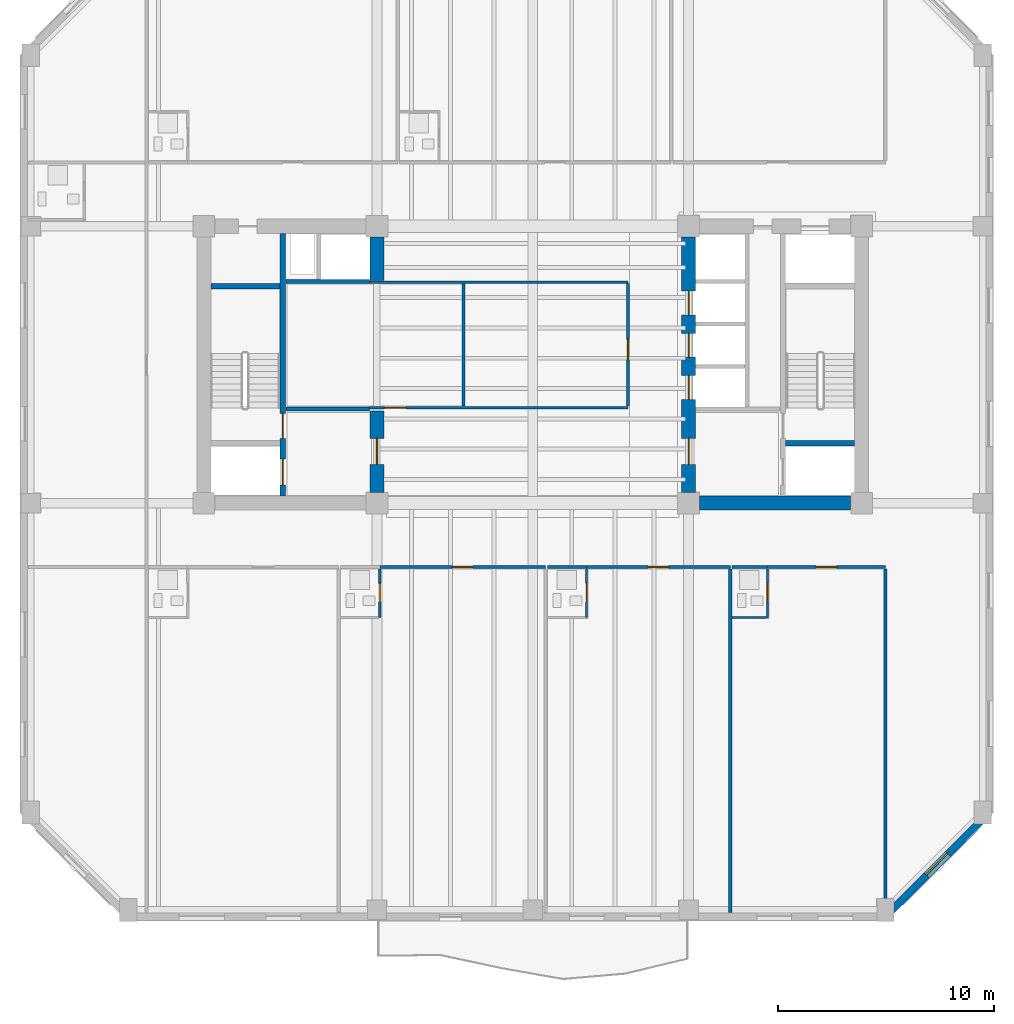
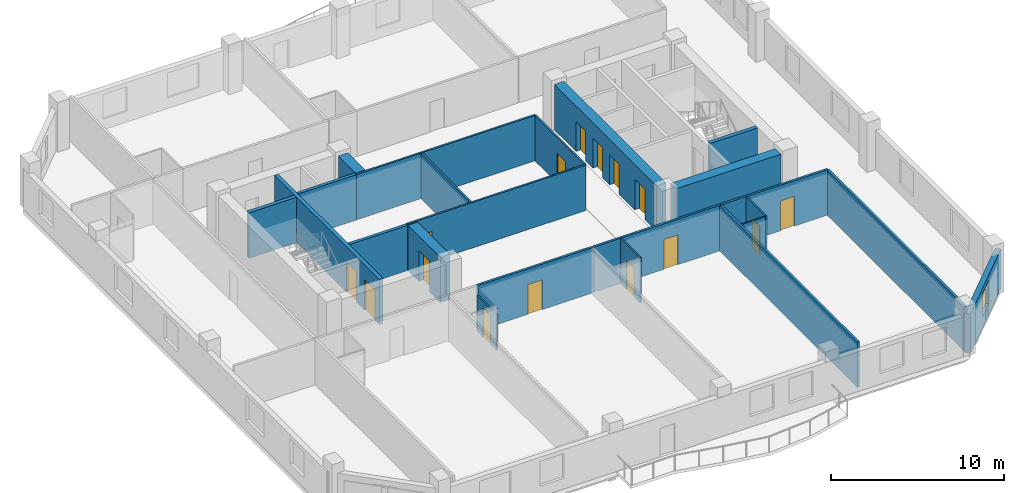
# One storey, part 3 of 10: 25 walls, 15 doors, 1 window, 16 openings.
"""IFC4 building model written with IfcOpenShell, lengths in metres."""

from ifc_helpers import new_model, si_unit, direction, frame, frame_2d, origin, place, context, subcontext, project, spatial, rectangle, extrude, material, layer, layer_set, type_object, element, fill, save


model = new_model("IFC4")

# Units and contexts
model_context = context("Model", 3, precision=1e-05, world=origin(), true_north=direction((0.0, 1.0)))
body_context = subcontext(model_context, "Body", "Model", "MODEL_VIEW")
ifc_project = project(units=[si_unit("LENGTHUNIT", "METRE"), si_unit("AREAUNIT", "SQUARE_METRE"), si_unit("VOLUMEUNIT", "CUBIC_METRE"), si_unit("PLANEANGLEUNIT", "RADIAN"), si_unit("MASSUNIT", "GRAM", prefix="KILO")], contexts=[model_context])

# Site, building, storey
site_placement = place(None, origin())
site = spatial("IfcSite", under=ifc_project, at=site_placement, CompositionType="ELEMENT")
building_placement = place(site_placement, origin())
building = spatial("IfcBuilding", under=site, at=building_placement, Name="Kranthara Brick Stack", CompositionType="ELEMENT")
storey_placement = place(building_placement, frame((0.0, 0.0, 127.300048828125)))
storey = spatial("IfcBuildingStorey", under=building, at=storey_placement, Name="L31", CompositionType="ELEMENT", Elevation=127.300048828125)

# Wall, opening, window
ifc_material_1 = material(Name="Kiln-fired clay brick masonry M15", Category="masonry")
ifc_layer_1 = layer(ifc_material_1, 0.35009765625)
ifc_layer_set_1 = layer_set([ifc_layer_1], Name="Kiln-fired clay brick masonry M15")
wall_type_1 = type_object("IfcWallType", Name="WL-BRK-SPND-350", PredefinedType="STANDARD", material=ifc_layer_set_1)
wall_1_placement = place(storey_placement, frame((49.10498046875, 6.5, 0.0), z_axis=(0.0, 0.0, 1.0), x_axis=(-0.707106781187, -0.707106781187, 0.0)))
wall_1 = element("IfcWall", 1, at=wall_1_placement, inside=storey, type_object=wall_type_1, Name="L31 Exterior Brick Facade Wall SE 1", PredefinedType="STANDARD", context=body_context, shape_type="SweptSolid", body=[
    extrude(rectangle(XDim=6.795166015625, YDim=0.35009765625, at=frame_2d((3.3974609375, 0.0))), origin(), (0.0, 0.0, 1.0), 2.784912109375),
])
opening_1_placement = place(wall_1_placement, frame((2.697998046875, 0.0, 0.75)))
opening_1 = element("IfcOpeningElement", 2, at=opening_1_placement, cuts=wall_1, Name="Opening WN10", PredefinedType="OPENING", context=body_context, shape_type="SweptSolid", body=[
    extrude(rectangle(XDim=1.39990234375, YDim=1.64990234375, at=frame_2d((0.699951171875, 0.824951171875))), frame((0.0, 0.18505859375, 0.0), z_axis=(0.0, -1.0, 0.0), x_axis=(1.0, 0.0, 0.0)), (0.0, 0.0, 1.0), 0.3701171875),
])
ifc_material_2 = material(Name="Double-glazed low-E solar control glass", Category="glass")
window_type = type_object("IfcWindowType", Name="WN-CHM-1400x1750", PartitioningType="SINGLE_PANEL", PredefinedType="WINDOW", material=ifc_material_2)
window_placement = place(opening_1_placement, origin())
window = element("IfcWindow", 3, at=window_placement, inside=storey, type_object=window_type, Name="L31 SE Chamfer Corner Window", OverallHeight=1.64990234375, OverallWidth=1.39990234375, PartitioningType="SINGLE_PANEL", PredefinedType="WINDOW", context=body_context, shape_type="SweptSolid", body=[
    extrude(rectangle(XDim=1.39990234375, YDim=1.64990234375, at=frame_2d((0.699951171875, 0.824951171875))), frame((0.0, -0.010009765625, 0.0), z_axis=(0.0, -1.0, 0.0), x_axis=(1.0, 0.0, 0.0)), (0.0, 0.0, 1.0), 0.06005859375),
])
fill(opening_1, window)

# Wall, openings, doors
ifc_material_3 = material(Name="Concrete C50/60", Category="concrete")
ifc_layer_2 = layer(ifc_material_3, 0.25)
ifc_layer_set_2 = layer_set([ifc_layer_2], Name="Concrete C50/60")
wall_type_2 = type_object("IfcWallType", Name="WL-CORE-250", PredefinedType="SHEAR", material=ifc_layer_set_2)
wall_2_placement = place(storey_placement, frame((16.43505859375, 21.135009765625, 0.0), z_axis=(0.0, 0.0, 1.0), x_axis=(0.0, 1.0, 0.0)))
wall_2 = element("IfcWall", 4, at=wall_2_placement, inside=storey, type_object=wall_type_2, Name="L31 West Core Stair Bearing Spine Wall", PredefinedType="SHEAR", context=body_context, shape_type="SweptSolid", body=[
    extrude(rectangle(XDim=12.1298828125, YDim=0.25, at=frame_2d((6.06494140625, 0.0))), origin(), (0.0, 0.0, 1.0), 3.199951171875),
])
opening_2_placement = place(wall_2_placement, frame((0.514892578125, 0.0, 0.0)))
opening_2 = element("IfcOpeningElement", 5, at=opening_2_placement, cuts=wall_2, Name="Opening LD01", PredefinedType="OPENING", context=body_context, shape_type="SweptSolid", body=[
    extrude(rectangle(XDim=1.199951171875, YDim=2.14990234375, at=frame_2d((0.60009765625, 1.074951171875))), frame((0.0, 0.135009765625, 0.0), z_axis=(0.0, -1.0, 0.0), x_axis=(1.0, 0.0, 0.0)), (0.0, 0.0, 1.0), 0.27001953125),
])
opening_3_placement = place(wall_2_placement, frame((2.6650390625, 0.0, 0.0)))
opening_3 = element("IfcOpeningElement", 6, at=opening_3_placement, cuts=wall_2, Name="Opening D05", PredefinedType="OPENING", context=body_context, shape_type="SweptSolid", body=[
    extrude(rectangle(XDim=1.14990234375, YDim=2.14990234375, at=frame_2d((0.574951171875, 1.074951171875))), frame((0.0, 0.135009765625, 0.0), z_axis=(0.0, -1.0, 0.0), x_axis=(1.0, 0.0, 0.0)), (0.0, 0.0, 1.0), 0.27001953125),
])
ifc_material_4 = material(Name="Stainless steel sliding landing door", Category="steel")
door_type_1 = type_object("IfcDoorType", Name="DR-LD-FF1200", OperationType="DOUBLE_DOOR_SLIDING", PredefinedType="DOOR", material=ifc_material_4)
door_1_placement = place(opening_2_placement, origin())
door_1 = element("IfcDoor", 7, at=door_1_placement, inside=storey, type_object=door_type_1, Name="L31 Firefighting Lift FF-01 Landing Door", OperationType="DOUBLE_DOOR_SLIDING", OverallHeight=2.14990234375, OverallWidth=1.199951171875, PredefinedType="DOOR", context=body_context, shape_type="SweptSolid", body=[
    extrude(rectangle(XDim=1.199951171875, YDim=2.14990234375, at=frame_2d((0.60009765625, 1.074951171875))), frame((0.0, 0.02490234375, 0.0), z_axis=(0.0, -1.0, 0.0), x_axis=(1.0, 0.0, 0.0)), (0.0, 0.0, 1.0), 0.050048828125),
])
fill(opening_2, door_1)
ifc_material_5 = material(Name="Solid-core hardwood timber leaf in steel frame", Category="steel")
door_type_2 = type_object("IfcDoorType", Name="DR-ST-1150", OperationType="NOTDEFINED", PredefinedType="DOOR", material=ifc_material_5)
door_2_placement = place(opening_3_placement, origin())
door_2 = element("IfcDoor", 8, at=door_2_placement, inside=storey, type_object=door_type_2, Name="L31 Exit Stair ST01 Door", OperationType="SINGLE_SWING_RIGHT", OverallHeight=2.14990234375, OverallWidth=1.14990234375, PredefinedType="DOOR", context=body_context, shape_type="SweptSolid", body=[
    extrude(rectangle(XDim=1.14990234375, YDim=2.14990234375, at=frame_2d((0.574951171875, 1.074951171875))), frame((0.0, 0.02490234375, 0.0), z_axis=(0.0, -1.0, 0.0), x_axis=(1.0, 0.0, 0.0)), (0.0, 0.0, 1.0), 0.050048828125),
])
fill(opening_3, door_2)

# Walls
for number, where, z_axis, x_axis, name in (
    (9, (13.135009765625, 30.830078125, 0.0), (0.0, 0.0, 1.0), (1.0, 0.0, 0.0), "L31 West Stairwell Bearing Wall WST"),
    (10, (39.68994140625, 23.570068359375, 0.0), (0.0, 0.0, 1.0), (1.0, 0.0, 0.0), "L31 East Stairwell Bearing Wall EFF"),
):
    element("IfcWall", number, at=place(storey_placement, frame(where, z_axis=z_axis, x_axis=x_axis)), inside=storey, type_object=wall_type_2, Name=name, PredefinedType="SHEAR", context=body_context, shape_type="SweptSolid", body=[
        extrude(rectangle(XDim=3.175048828125, YDim=0.25, at=frame_2d((1.58740234375, 0.0))), origin(), (0.0, 0.0, 1.0), 3.199951171875),
    ])

# Wall, opening, door
ifc_material_6 = material(Name="Concrete C60/75", Category="concrete")
ifc_layer_3 = layer(ifc_material_6, 0.64990234375)
ifc_layer_set_3 = layer_set([ifc_layer_3], Name="Concrete C60/75")
wall_type_3 = type_object("IfcWallType", Name="WL-CORE-650", PredefinedType="SHEAR", material=ifc_layer_set_3)
wall_3_placement = place(storey_placement, frame((20.800048828125, 21.304931640625, 0.0), z_axis=(0.0, 0.0, 1.0), x_axis=(0.0, 1.0, 0.0)))
wall_3 = element("IfcWall", 11, at=wall_3_placement, inside=storey, type_object=wall_type_3, Name="L31 West Core Lobby Shear Wall", PredefinedType="SHEAR", context=body_context, shape_type="SweptSolid", body=[
    extrude(rectangle(XDim=3.7451171875, YDim=0.64990234375, at=frame_2d((1.87255859375, 0.0))), origin(), (0.0, 0.0, 1.0), 3.199951171875),
])
opening_4_placement = place(wall_3_placement, frame((1.294921875, 0.0, 0.0)))
opening_4 = element("IfcOpeningElement", 12, at=opening_4_placement, cuts=wall_3, Name="Opening D06", PredefinedType="OPENING", context=body_context, shape_type="SweptSolid", body=[
    extrude(rectangle(XDim=1.199951171875, YDim=2.14990234375, at=frame_2d((0.60009765625, 1.074951171875))), frame((0.0, 0.3349609375, 0.0), z_axis=(0.0, -1.0, 0.0), x_axis=(1.0, 0.0, 0.0)), (0.0, 0.0, 1.0), 0.669921875),
])
ifc_material_7 = material(Name="Solid-core hardwood timber leaf in steel frame", Category="steel")
door_type_3 = type_object("IfcDoorType", Name="DR-FFL-1200", OperationType="NOTDEFINED", PredefinedType="DOOR", material=ifc_material_7)
door_3_placement = place(opening_4_placement, origin())
door_3 = element("IfcDoor", 13, at=door_3_placement, inside=storey, type_object=door_type_3, Name="L31 West Firefighting Lobby Door", OperationType="SINGLE_SWING_LEFT", OverallHeight=2.14990234375, OverallWidth=1.199951171875, PredefinedType="DOOR", context=body_context, shape_type="SweptSolid", body=[
    extrude(rectangle(XDim=1.199951171875, YDim=2.14990234375, at=frame_2d((0.60009765625, 1.074951171875))), frame((0.0, 0.02490234375, 0.0), z_axis=(0.0, -1.0, 0.0), x_axis=(1.0, 0.0, 0.0)), (0.0, 0.0, 1.0), 0.050048828125),
])
fill(opening_4, door_3)

# Walls
wall_4_placement = place(storey_placement, frame((20.800048828125, 31.10009765625, 0.0), z_axis=(0.0, 0.0, 1.0), x_axis=(0.0, 1.0, 0.0)))
element("IfcWall", 14, at=wall_4_placement, inside=storey, type_object=wall_type_3, Name="L31 West Core High-Rise Lift Wall", PredefinedType="SHEAR", context=body_context, shape_type="SweptSolid", body=[
    extrude(rectangle(XDim=1.994873046875, YDim=0.64990234375, at=frame_2d((0.99755859375, 0.0))), origin(), (0.0, 0.0, 1.0), 3.199951171875),
])
wall_5_placement = place(storey_placement, frame((35.705078125, 20.800048828125, 0.0), z_axis=(0.0, 0.0, 1.0), x_axis=(1.0, 0.0, 0.0)))
element("IfcWall", 15, at=wall_5_placement, inside=storey, type_object=wall_type_3, Name="L31 East Core Shear Wall South", PredefinedType="SHEAR", context=body_context, shape_type="SweptSolid", body=[
    extrude(rectangle(XDim=6.989990234375, YDim=0.64990234375, at=frame_2d((3.4951171875, 0.0))), origin(), (0.0, 0.0, 1.0), 3.199951171875),
])

# Wall, openings, doors
wall_6_placement = place(storey_placement, frame((35.199951171875, 21.304931640625, 0.0), z_axis=(0.0, 0.0, 1.0), x_axis=(0.0, 1.0, 0.0)))
wall_6 = element("IfcWall", 16, at=wall_6_placement, inside=storey, type_object=wall_type_3, Name="L31 East Core Shear Wall West", PredefinedType="SHEAR", context=body_context, shape_type="SweptSolid", body=[
    extrude(rectangle(XDim=11.7900390625, YDim=0.64990234375, at=frame_2d((5.89501953125, 0.0))), origin(), (0.0, 0.0, 1.0), 3.199951171875),
])
opening_5_placement = place(wall_6_placement, frame((1.294921875, 0.0, 0.0)))
opening_5 = element("IfcOpeningElement", 17, at=opening_5_placement, cuts=wall_6, Name="Opening D06", PredefinedType="OPENING", context=body_context, shape_type="SweptSolid", body=[
    extrude(rectangle(XDim=1.199951171875, YDim=2.14990234375, at=frame_2d((0.60009765625, 1.074951171875))), frame((0.0, 0.3349609375, 0.0), z_axis=(0.0, -1.0, 0.0), x_axis=(1.0, 0.0, 0.0)), (0.0, 0.0, 1.0), 0.669921875),
])
opening_6_placement = place(wall_6_placement, frame((4.294921875, 0.0, 0.0)))
opening_6 = element("IfcOpeningElement", 18, at=opening_6_placement, cuts=wall_6, Name="Opening LD02", PredefinedType="OPENING", context=body_context, shape_type="SweptSolid", body=[
    extrude(rectangle(XDim=1.10009765625, YDim=2.10009765625, at=frame_2d((0.550048828125, 1.050048828125))), frame((0.0, 0.3349609375, 0.0), z_axis=(0.0, -1.0, 0.0), x_axis=(1.0, 0.0, 0.0)), (0.0, 0.0, 1.0), 0.669921875),
])
opening_7_placement = place(wall_6_placement, frame((6.2451171875, 0.0, 0.0)))
opening_7 = element("IfcOpeningElement", 19, at=opening_7_placement, cuts=wall_6, Name="Opening LD02", PredefinedType="OPENING", context=body_context, shape_type="SweptSolid", body=[
    extrude(rectangle(XDim=1.10009765625, YDim=2.10009765625, at=frame_2d((0.550048828125, 1.050048828125))), frame((0.0, 0.3349609375, 0.0), z_axis=(0.0, -1.0, 0.0), x_axis=(1.0, 0.0, 0.0)), (0.0, 0.0, 1.0), 0.669921875),
])
opening_8_placement = place(wall_6_placement, frame((8.195068359375, 0.0, 0.0)))
opening_8 = element("IfcOpeningElement", 20, at=opening_8_placement, cuts=wall_6, Name="Opening LD02", PredefinedType="OPENING", context=body_context, shape_type="SweptSolid", body=[
    extrude(rectangle(XDim=1.10009765625, YDim=2.10009765625, at=frame_2d((0.550048828125, 1.050048828125))), frame((0.0, 0.3349609375, 0.0), z_axis=(0.0, -1.0, 0.0), x_axis=(1.0, 0.0, 0.0)), (0.0, 0.0, 1.0), 0.669921875),
])
door_4_placement = place(opening_5_placement, origin())
door_4 = element("IfcDoor", 21, at=door_4_placement, inside=storey, type_object=door_type_3, Name="L31 East Firefighting Lobby Door", OperationType="SINGLE_SWING_RIGHT", OverallHeight=2.14990234375, OverallWidth=1.199951171875, PredefinedType="DOOR", context=body_context, shape_type="SweptSolid", body=[
    extrude(rectangle(XDim=1.199951171875, YDim=2.14990234375, at=frame_2d((0.60009765625, 1.074951171875))), frame((0.0, 0.02490234375, 0.0), z_axis=(0.0, -1.0, 0.0), x_axis=(1.0, 0.0, 0.0)), (0.0, 0.0, 1.0), 0.050048828125),
])
fill(opening_5, door_4)
ifc_material_8 = material(Name="Stainless steel sliding landing door", Category="steel")
door_type_4 = type_object("IfcDoorType", Name="DR-LD-PL1100", OperationType="DOUBLE_DOOR_SLIDING", PredefinedType="DOOR", material=ifc_material_8)
door_5_placement = place(opening_6_placement, origin())
door_5 = element("IfcDoor", 22, at=door_5_placement, inside=storey, type_object=door_type_4, Name="L31 PL-04 Lift Landing Door", OperationType="DOUBLE_DOOR_SLIDING", OverallHeight=2.10009765625, OverallWidth=1.10009765625, PredefinedType="DOOR", context=body_context, shape_type="SweptSolid", body=[
    extrude(rectangle(XDim=1.10009765625, YDim=2.10009765625, at=frame_2d((0.550048828125, 1.050048828125))), frame((0.0, 0.02490234375, 0.0), z_axis=(0.0, -1.0, 0.0), x_axis=(1.0, 0.0, 0.0)), (0.0, 0.0, 1.0), 0.050048828125),
])
fill(opening_6, door_5)
door_6_placement = place(opening_7_placement, origin())
door_6 = element("IfcDoor", 23, at=door_6_placement, inside=storey, type_object=door_type_4, Name="L31 PL-05 Lift Landing Door", OperationType="DOUBLE_DOOR_SLIDING", OverallHeight=2.10009765625, OverallWidth=1.10009765625, PredefinedType="DOOR", context=body_context, shape_type="SweptSolid", body=[
    extrude(rectangle(XDim=1.10009765625, YDim=2.10009765625, at=frame_2d((0.550048828125, 1.050048828125))), frame((0.0, 0.02490234375, 0.0), z_axis=(0.0, -1.0, 0.0), x_axis=(1.0, 0.0, 0.0)), (0.0, 0.0, 1.0), 0.050048828125),
])
fill(opening_7, door_6)
door_7_placement = place(opening_8_placement, origin())
door_7 = element("IfcDoor", 24, at=door_7_placement, inside=storey, type_object=door_type_4, Name="L31 PL-06 Lift Landing Door", OperationType="DOUBLE_DOOR_SLIDING", OverallHeight=2.10009765625, OverallWidth=1.10009765625, PredefinedType="DOOR", context=body_context, shape_type="SweptSolid", body=[
    extrude(rectangle(XDim=1.10009765625, YDim=2.10009765625, at=frame_2d((0.550048828125, 1.050048828125))), frame((0.0, 0.02490234375, 0.0), z_axis=(0.0, -1.0, 0.0), x_axis=(1.0, 0.0, 0.0)), (0.0, 0.0, 1.0), 0.050048828125),
])
fill(opening_8, door_7)

# Wall, opening, door
ifc_material_9 = material(Name="Moisture-resistant wet-room partition", Category="other")
ifc_layer_4 = layer(ifc_material_9, 0.10009765625)
ifc_layer_set_4 = layer_set([ifc_layer_4], Name="Moisture-resistant wet-room partition")
wall_type_4 = type_object("IfcWallType", Name="WL-PART-100", PredefinedType="PARTITIONING", material=ifc_layer_set_4)
wall_7_placement = place(storey_placement, frame((20.928955078125, 15.52001953125, 0.0), z_axis=(0.0, 0.0, 1.0), x_axis=(0.0, 1.0, 0.0)))
wall_7 = element("IfcWall", 25, at=wall_7_placement, inside=storey, type_object=wall_type_4, Name="L31 Interior Partition 013", PredefinedType="PARTITIONING", context=body_context, shape_type="SweptSolid", body=[
    extrude(rectangle(XDim=2.25, YDim=0.10009765625, at=frame_2d((1.125, 0.0))), origin(), (0.0, 0.0, 1.0), 2.534912109375),
])
opening_9_placement = place(wall_7_placement, frame((0.719970703125, 0.0, 0.0)))
opening_9 = element("IfcOpeningElement", 26, at=opening_9_placement, cuts=wall_7, Name="Opening D17", PredefinedType="OPENING", context=body_context, shape_type="SweptSolid", body=[
    extrude(rectangle(XDim=0.85009765625, YDim=2.050048828125, at=frame_2d((0.425048828125, 1.02490234375))), frame((0.0, 0.06005859375, 0.0), z_axis=(0.0, -1.0, 0.0), x_axis=(1.0, 0.0, 0.0)), (0.0, 0.0, 1.0), 0.1201171875),
])
ifc_material_10 = material(Name="Solid-core hardwood timber leaf in steel frame", Category="steel")
door_type_5 = type_object("IfcDoorType", Name="DR-WET-850", OperationType="NOTDEFINED", PredefinedType="DOOR", material=ifc_material_10)
door_8_placement = place(opening_9_placement, origin())
door_8 = element("IfcDoor", 27, at=door_8_placement, inside=storey, type_object=door_type_5, Name="L31 Key 02 En-Suite Door 05", OperationType="SINGLE_SWING_LEFT", OverallHeight=2.050048828125, OverallWidth=0.85009765625, PredefinedType="DOOR", context=body_context, shape_type="SweptSolid", body=[
    extrude(rectangle(XDim=0.85009765625, YDim=2.050048828125, at=frame_2d((0.425048828125, 1.02490234375))), frame((0.0, 0.02490234375, 0.0), z_axis=(0.0, -1.0, 0.0), x_axis=(1.0, 0.0, 0.0)), (0.0, 0.0, 1.0), 0.050048828125),
])
fill(opening_9, door_8)

wall_8_placement = place(storey_placement, frame((30.490966796875, 15.52001953125, 0.0), z_axis=(0.0, 0.0, 1.0), x_axis=(0.0, 1.0, 0.0)))
wall_8 = element("IfcWall", 28, at=wall_8_placement, inside=storey, type_object=wall_type_4, Name="L31 Interior Partition 018", PredefinedType="PARTITIONING", context=body_context, shape_type="SweptSolid", body=[
    extrude(rectangle(XDim=2.25, YDim=0.10009765625, at=frame_2d((1.125, 0.0))), origin(), (0.0, 0.0, 1.0), 3.199951171875),
])
opening_10_placement = place(wall_8_placement, frame((0.719970703125, 0.0, 0.0)))
opening_10 = element("IfcOpeningElement", 29, at=opening_10_placement, cuts=wall_8, Name="Opening D17", PredefinedType="OPENING", context=body_context, shape_type="SweptSolid", body=[
    extrude(rectangle(XDim=0.85009765625, YDim=2.050048828125, at=frame_2d((0.425048828125, 1.02490234375))), frame((0.0, 0.06005859375, 0.0), z_axis=(0.0, -1.0, 0.0), x_axis=(1.0, 0.0, 0.0)), (0.0, 0.0, 1.0), 0.1201171875),
])
door_9_placement = place(opening_10_placement, origin())
door_9 = element("IfcDoor", 30, at=door_9_placement, inside=storey, type_object=door_type_5, Name="L31 Key 03 En-Suite Door 07", OperationType="SINGLE_SWING_LEFT", OverallHeight=2.050048828125, OverallWidth=0.85009765625, PredefinedType="DOOR", context=body_context, shape_type="SweptSolid", body=[
    extrude(rectangle(XDim=0.85009765625, YDim=2.050048828125, at=frame_2d((0.425048828125, 1.02490234375))), frame((0.0, 0.02490234375, 0.0), z_axis=(0.0, -1.0, 0.0), x_axis=(1.0, 0.0, 0.0)), (0.0, 0.0, 1.0), 0.050048828125),
])
fill(opening_10, door_9)

wall_9_placement = place(storey_placement, frame((38.85009765625, 15.52001953125, 0.0), z_axis=(0.0, 0.0, 1.0), x_axis=(0.0, 1.0, 0.0)))
wall_9 = element("IfcWall", 31, at=wall_9_placement, inside=storey, type_object=wall_type_4, Name="L31 Interior Partition 023", PredefinedType="PARTITIONING", context=body_context, shape_type="SweptSolid", body=[
    extrude(rectangle(XDim=2.25, YDim=0.10009765625, at=frame_2d((1.125, 0.0))), origin(), (0.0, 0.0, 1.0), 3.199951171875),
])
opening_11_placement = place(wall_9_placement, frame((0.719970703125, 0.0, 0.0)))
opening_11 = element("IfcOpeningElement", 32, at=opening_11_placement, cuts=wall_9, Name="Opening D17", PredefinedType="OPENING", context=body_context, shape_type="SweptSolid", body=[
    extrude(rectangle(XDim=0.85009765625, YDim=2.050048828125, at=frame_2d((0.425048828125, 1.02490234375))), frame((0.0, 0.06005859375, 0.0), z_axis=(0.0, -1.0, 0.0), x_axis=(1.0, 0.0, 0.0)), (0.0, 0.0, 1.0), 0.1201171875),
])
door_10_placement = place(opening_11_placement, origin())
door_10 = element("IfcDoor", 33, at=door_10_placement, inside=storey, type_object=door_type_5, Name="L31 Key 04 En-Suite Door 09", OperationType="SINGLE_SWING_LEFT", OverallHeight=2.050048828125, OverallWidth=0.85009765625, PredefinedType="DOOR", context=body_context, shape_type="SweptSolid", body=[
    extrude(rectangle(XDim=0.85009765625, YDim=2.050048828125, at=frame_2d((0.425048828125, 1.02490234375))), frame((0.0, 0.02490234375, 0.0), z_axis=(0.0, -1.0, 0.0), x_axis=(1.0, 0.0, 0.0)), (0.0, 0.0, 1.0), 0.050048828125),
])
fill(opening_11, door_10)

# Wall
wall_10_placement = place(storey_placement, frame((37.208984375, 15.52001953125, 0.0), z_axis=(0.0, 0.0, 1.0), x_axis=(1.0, 0.0, 0.0)))
element("IfcWall", 34, at=wall_10_placement, inside=storey, type_object=wall_type_4, Name="L31 Interior Partition 024", PredefinedType="PARTITIONING", context=body_context, shape_type="SweptSolid", body=[
    extrude(rectangle(XDim=1.5859375, YDim=0.10009765625, at=frame_2d((0.79296875, 0.0))), origin(), (0.0, 0.0, 1.0), 3.199951171875),
])

# Wall, opening, door
ifc_material_11 = material(Name="Acoustic gypsum plasterboard partition", Category="other")
ifc_layer_5 = layer(ifc_material_11, 0.1201171875)
ifc_layer_set_5 = layer_set([ifc_layer_5], Name="Acoustic gypsum plasterboard partition")
wall_type_5 = type_object("IfcWallType", Name="WL-PART-120", PredefinedType="PARTITIONING", material=ifc_layer_set_5)
wall_11_placement = place(storey_placement, frame((20.4599609375, 25.219970703125, 0.0), z_axis=(0.0, 0.0, 1.0), x_axis=(1.0, 0.0, 0.0)))
wall_11 = element("IfcWall", 35, at=wall_11_placement, inside=storey, type_object=wall_type_5, Name="L31 Interior Partition 001", PredefinedType="PARTITIONING", context=body_context, shape_type="SweptSolid", body=[
    extrude(rectangle(XDim=11.93994140625, YDim=0.1201171875, at=frame_2d((5.969970703125, 0.0))), origin(), (0.0, 0.0, 1.0), 3.199951171875),
])
opening_12_placement = place(wall_11_placement, frame((0.679931640625, 0.0, 0.0)))
opening_12 = element("IfcOpeningElement", 36, at=opening_12_placement, cuts=wall_11, Name="Opening D13", PredefinedType="OPENING", context=body_context, shape_type="SweptSolid", body=[
    extrude(rectangle(XDim=1.0, YDim=2.10009765625, at=frame_2d((0.5, 1.050048828125))), frame((0.0, 0.070068359375, 0.0), z_axis=(0.0, -1.0, 0.0), x_axis=(1.0, 0.0, 0.0)), (0.0, 0.0, 1.0), 0.14013671875),
])
ifc_material_12 = material(Name="Solid-core hardwood timber leaf in steel frame", Category="steel")
door_type_6 = type_object("IfcDoorType", Name="DR-INT-1000", OperationType="NOTDEFINED", PredefinedType="DOOR", material=ifc_material_12)
door_11_placement = place(opening_12_placement, origin())
door_11 = element("IfcDoor", 37, at=door_11_placement, inside=storey, type_object=door_type_6, Name="L31 Hotel Club Lounge Door 01", OperationType="SINGLE_SWING_LEFT", OverallHeight=2.10009765625, OverallWidth=1.0, PredefinedType="DOOR", context=body_context, shape_type="SweptSolid", body=[
    extrude(rectangle(XDim=1.0, YDim=2.10009765625, at=frame_2d((0.5, 1.050048828125))), frame((0.0, 0.02490234375, 0.0), z_axis=(0.0, -1.0, 0.0), x_axis=(1.0, 0.0, 0.0)), (0.0, 0.0, 1.0), 0.050048828125),
])
fill(opening_12, door_11)

# Wall
wall_12_placement = place(storey_placement, frame((20.4599609375, 31.02001953125, 0.0), z_axis=(0.0, 0.0, 1.0), x_axis=(1.0, 0.0, 0.0)))
element("IfcWall", 38, at=wall_12_placement, inside=storey, type_object=wall_type_5, Name="L31 Interior Partition 002", PredefinedType="PARTITIONING", context=body_context, shape_type="SweptSolid", body=[
    extrude(rectangle(XDim=11.93994140625, YDim=0.1201171875, at=frame_2d((5.969970703125, 0.0))), origin(), (0.0, 0.0, 1.0), 3.199951171875),
])

# Wall, opening, door
wall_13_placement = place(storey_placement, frame((32.39990234375, 25.284912109375, 0.0), z_axis=(0.0, 0.0, 1.0), x_axis=(0.0, 1.0, 0.0)))
wall_13 = element("IfcWall", 39, at=wall_13_placement, inside=storey, type_object=wall_type_5, Name="L31 Interior Partition 003", PredefinedType="PARTITIONING", context=body_context, shape_type="SweptSolid", body=[
    extrude(rectangle(XDim=5.670166015625, YDim=0.1201171875, at=frame_2d((2.8349609375, 0.0))), origin(), (0.0, 0.0, 1.0), 3.199951171875),
])
opening_13_placement = place(wall_13_placement, frame((2.135009765625, 0.0, 0.0)))
opening_13 = element("IfcOpeningElement", 40, at=opening_13_placement, cuts=wall_13, Name="Opening D14", PredefinedType="OPENING", context=body_context, shape_type="SweptSolid", body=[
    extrude(rectangle(XDim=0.949951171875, YDim=2.10009765625, at=frame_2d((0.47509765625, 1.050048828125))), frame((0.0, 0.070068359375, 0.0), z_axis=(0.0, -1.0, 0.0), x_axis=(1.0, 0.0, 0.0)), (0.0, 0.0, 1.0), 0.14013671875),
])
ifc_material_13 = material(Name="Solid-core hardwood timber leaf in steel frame", Category="steel")
door_type_7 = type_object("IfcDoorType", Name="DR-INT-950", OperationType="NOTDEFINED", PredefinedType="DOOR", material=ifc_material_13)
door_12_placement = place(opening_13_placement, origin())
door_12 = element("IfcDoor", 41, at=door_12_placement, inside=storey, type_object=door_type_7, Name="L31 Housekeeping Linen Door 02", OperationType="SINGLE_SWING_RIGHT", OverallHeight=2.10009765625, OverallWidth=0.949951171875, PredefinedType="DOOR", context=body_context, shape_type="SweptSolid", body=[
    extrude(rectangle(XDim=0.949951171875, YDim=2.10009765625, at=frame_2d((0.47509765625, 1.050048828125))), frame((0.0, 0.02490234375, 0.0), z_axis=(0.0, -1.0, 0.0), x_axis=(1.0, 0.0, 0.0)), (0.0, 0.0, 1.0), 0.050048828125),
])
fill(opening_13, door_12)

# Wall
wall_14_placement = place(storey_placement, frame((24.800048828125, 25.284912109375, 0.0), z_axis=(0.0, 0.0, 1.0), x_axis=(0.0, 1.0, 0.0)))
element("IfcWall", 42, at=wall_14_placement, inside=storey, type_object=wall_type_5, Name="L31 Interior Partition 004", PredefinedType="PARTITIONING", context=body_context, shape_type="SweptSolid", body=[
    extrude(rectangle(XDim=5.670166015625, YDim=0.1201171875, at=frame_2d((2.8349609375, 0.0))), origin(), (0.0, 0.0, 1.0), 3.199951171875),
])

# Wall, opening, door
ifc_material_14 = material(Name="Fire-rated gypsum board partition", Category="other")
ifc_layer_6 = layer(ifc_material_14, 0.14990234375)
ifc_layer_set_6 = layer_set([ifc_layer_6], Name="Fire-rated gypsum board partition")
wall_type_6 = type_object("IfcWallType", Name="WL-PART-150", PredefinedType="PARTITIONING", material=ifc_layer_set_6)
wall_15_placement = place(storey_placement, frame((20.928955078125, 17.85009765625, 0.0), z_axis=(0.0, 0.0, 1.0), x_axis=(1.0, 0.0, 0.0)))
wall_15 = element("IfcWall", 43, at=wall_15_placement, inside=storey, type_object=wall_type_6, Name="L31 Interior Partition 012", PredefinedType="PARTITIONING", context=body_context, shape_type="SweptSolid", body=[
    extrude(rectangle(XDim=7.662109375, YDim=0.14990234375, at=frame_2d((3.8310546875, 0.0))), origin(), (0.0, 0.0, 1.0), 3.199951171875),
])
opening_14_placement = place(wall_15_placement, frame((3.35107421875, 0.0, 0.0)))
opening_14 = element("IfcOpeningElement", 44, at=opening_14_placement, cuts=wall_15, Name="Opening D09", PredefinedType="OPENING", context=body_context, shape_type="SweptSolid", body=[
    extrude(rectangle(XDim=0.949951171875, YDim=2.10009765625, at=frame_2d((0.47509765625, 1.050048828125))), frame((0.0, 0.0849609375, 0.0), z_axis=(0.0, -1.0, 0.0), x_axis=(1.0, 0.0, 0.0)), (0.0, 0.0, 1.0), 0.169921875),
])
ifc_material_15 = material(Name="Solid-core hardwood timber leaf in steel frame", Category="steel")
door_type_8 = type_object("IfcDoorType", Name="DR-FD-950", OperationType="NOTDEFINED", PredefinedType="DOOR", material=ifc_material_15)
door_13_placement = place(opening_14_placement, origin())
door_13 = element("IfcDoor", 45, at=door_13_placement, inside=storey, type_object=door_type_8, Name="L31 Key 02 Entry 06", OperationType="SINGLE_SWING_RIGHT", OverallHeight=2.10009765625, OverallWidth=0.949951171875, PredefinedType="DOOR", context=body_context, shape_type="SweptSolid", body=[
    extrude(rectangle(XDim=0.949951171875, YDim=2.10009765625, at=frame_2d((0.47509765625, 1.050048828125))), frame((0.0, 0.02490234375, 0.0), z_axis=(0.0, -1.0, 0.0), x_axis=(1.0, 0.0, 0.0)), (0.0, 0.0, 1.0), 0.050048828125),
])
fill(opening_14, door_13)

# Wall
wall_16_placement = place(storey_placement, frame((28.6708984375, 17.85009765625, 0.0), z_axis=(0.0, 0.0, 1.0), x_axis=(1.0, 0.0, 0.0)))
element("IfcWall", 46, at=wall_16_placement, inside=storey, type_object=wall_type_6, Name="L31 Interior Partition 016", PredefinedType="PARTITIONING", context=body_context, shape_type="SweptSolid", body=[
    extrude(rectangle(XDim=1.820068359375, YDim=0.14990234375, at=frame_2d((0.91015625, 0.0))), origin(), (0.0, 0.0, 1.0), 3.199951171875),
])

# Wall, opening, door
wall_17_placement = place(storey_placement, frame((30.490966796875, 17.85009765625, 0.0), z_axis=(0.0, 0.0, 1.0), x_axis=(1.0, 0.0, 0.0)))
wall_17 = element("IfcWall", 47, at=wall_17_placement, inside=storey, type_object=wall_type_6, Name="L31 Interior Partition 017", PredefinedType="PARTITIONING", context=body_context, shape_type="SweptSolid", body=[
    extrude(rectangle(XDim=6.637939453125, YDim=0.14990234375, at=frame_2d((3.31884765625, 0.0))), origin(), (0.0, 0.0, 1.0), 3.199951171875),
])
opening_15_placement = place(wall_17_placement, frame((2.839111328125, 0.0, 0.0)))
opening_15 = element("IfcOpeningElement", 48, at=opening_15_placement, cuts=wall_17, Name="Opening D09", PredefinedType="OPENING", context=body_context, shape_type="SweptSolid", body=[
    extrude(rectangle(XDim=0.949951171875, YDim=2.10009765625, at=frame_2d((0.47509765625, 1.050048828125))), frame((0.0, 0.0849609375, 0.0), z_axis=(0.0, -1.0, 0.0), x_axis=(1.0, 0.0, 0.0)), (0.0, 0.0, 1.0), 0.169921875),
])
door_14_placement = place(opening_15_placement, origin())
door_14 = element("IfcDoor", 49, at=door_14_placement, inside=storey, type_object=door_type_8, Name="L31 Key 03 Entry 08", OperationType="SINGLE_SWING_RIGHT", OverallHeight=2.10009765625, OverallWidth=0.949951171875, PredefinedType="DOOR", context=body_context, shape_type="SweptSolid", body=[
    extrude(rectangle(XDim=0.949951171875, YDim=2.10009765625, at=frame_2d((0.47509765625, 1.050048828125))), frame((0.0, 0.02490234375, 0.0), z_axis=(0.0, -1.0, 0.0), x_axis=(1.0, 0.0, 0.0)), (0.0, 0.0, 1.0), 0.050048828125),
])
fill(opening_15, door_14)

# Walls
wall_18_placement = place(storey_placement, frame((37.12890625, 1.875, 0.0), z_axis=(0.0, 0.0, 1.0), x_axis=(0.0, 1.0, 0.0)))
element("IfcWall", 50, at=wall_18_placement, inside=storey, type_object=wall_type_6, Name="L31 Interior Partition 020", PredefinedType="PARTITIONING", context=body_context, shape_type="SweptSolid", body=[
    extrude(rectangle(XDim=15.89501953125, YDim=0.14990234375, at=frame_2d((7.947509765625, 0.0))), origin(), (0.0, 0.0, 1.0), 3.199951171875),
])
wall_19_placement = place(storey_placement, frame((37.208984375, 17.85009765625, 0.0), z_axis=(0.0, 0.0, 1.0), x_axis=(1.0, 0.0, 0.0)))
element("IfcWall", 51, at=wall_19_placement, inside=storey, type_object=wall_type_6, Name="L31 Interior Partition 021", PredefinedType="PARTITIONING", context=body_context, shape_type="SweptSolid", body=[
    extrude(rectangle(XDim=1.64111328125, YDim=0.14990234375, at=frame_2d((0.820556640625, 0.0))), origin(), (0.0, 0.0, 1.0), 3.199951171875),
])

# Wall, opening, door
wall_20_placement = place(storey_placement, frame((38.85009765625, 17.85009765625, 0.0), z_axis=(0.0, 0.0, 1.0), x_axis=(1.0, 0.0, 0.0)))
wall_20 = element("IfcWall", 52, at=wall_20_placement, inside=storey, type_object=wall_type_6, Name="L31 Interior Partition 022", PredefinedType="PARTITIONING", context=body_context, shape_type="SweptSolid", body=[
    extrude(rectangle(XDim=5.449951171875, YDim=0.14990234375, at=frame_2d((2.72509765625, 0.0))), origin(), (0.0, 0.0, 1.0), 3.199951171875),
])
opening_16_placement = place(wall_20_placement, frame((2.2451171875, 0.0, 0.0)))
opening_16 = element("IfcOpeningElement", 53, at=opening_16_placement, cuts=wall_20, Name="Opening D09", PredefinedType="OPENING", context=body_context, shape_type="SweptSolid", body=[
    extrude(rectangle(XDim=0.949951171875, YDim=2.10009765625, at=frame_2d((0.47509765625, 1.050048828125))), frame((0.0, 0.0849609375, 0.0), z_axis=(0.0, -1.0, 0.0), x_axis=(1.0, 0.0, 0.0)), (0.0, 0.0, 1.0), 0.169921875),
])
door_15_placement = place(opening_16_placement, origin())
door_15 = element("IfcDoor", 54, at=door_15_placement, inside=storey, type_object=door_type_8, Name="L31 Key 04 Entry 10", OperationType="SINGLE_SWING_RIGHT", OverallHeight=2.10009765625, OverallWidth=0.949951171875, PredefinedType="DOOR", context=body_context, shape_type="SweptSolid", body=[
    extrude(rectangle(XDim=0.949951171875, YDim=2.10009765625, at=frame_2d((0.47509765625, 1.050048828125))), frame((0.0, 0.02490234375, 0.0), z_axis=(0.0, -1.0, 0.0), x_axis=(1.0, 0.0, 0.0)), (0.0, 0.0, 1.0), 0.050048828125),
])
fill(opening_16, door_15)

# Walls
wall_21_placement = place(storey_placement, frame((44.300048828125, 1.875, 0.0), z_axis=(0.0, 0.0, 1.0), x_axis=(0.0, 1.0, 0.0)))
element("IfcWall", 55, at=wall_21_placement, inside=storey, type_object=wall_type_6, Name="L31 Interior Partition 025", PredefinedType="PARTITIONING", context=body_context, shape_type="SweptSolid", body=[
    extrude(rectangle(XDim=15.89501953125, YDim=0.14990234375, at=frame_2d((7.947509765625, 0.0))), origin(), (0.0, 0.0, 1.0), 3.199951171875),
])
ifc_material_16 = material(Name="Concrete C40/50", Category="concrete")
ifc_layer_7 = layer(ifc_material_16, 0.199951171875)
ifc_layer_set_7 = layer_set([ifc_layer_7], Name="Concrete C40/50")
wall_type_7 = type_object("IfcWallType", Name="WL-PART-200", PredefinedType="SOLIDWALL", material=ifc_layer_set_7)
for number, where, z_axis, x_axis, name in (
    (56, (16.60009765625, 25.14990234375, 0.0), (0.0, 0.0, 1.0), (1.0, 0.0, 0.0), "L31 West Core Cross Wall WFL"),
    (57, (16.60009765625, 31.050048828125, 0.0), (0.0, 0.0, 1.0), (1.0, 0.0, 0.0), "L31 West Core Cross Wall WH4"),
):
    element("IfcWall", number, at=place(storey_placement, frame(where, z_axis=z_axis, x_axis=x_axis)), inside=storey, type_object=wall_type_7, Name=name, PredefinedType="SOLIDWALL", context=body_context, shape_type="SweptSolid", body=[
        extrude(rectangle(XDim=3.849853515625, YDim=0.199951171875, at=frame_2d((1.9248046875, 0.0))), origin(), (0.0, 0.0, 1.0), 3.199951171875),
    ])

save(model, "model.ifc")
